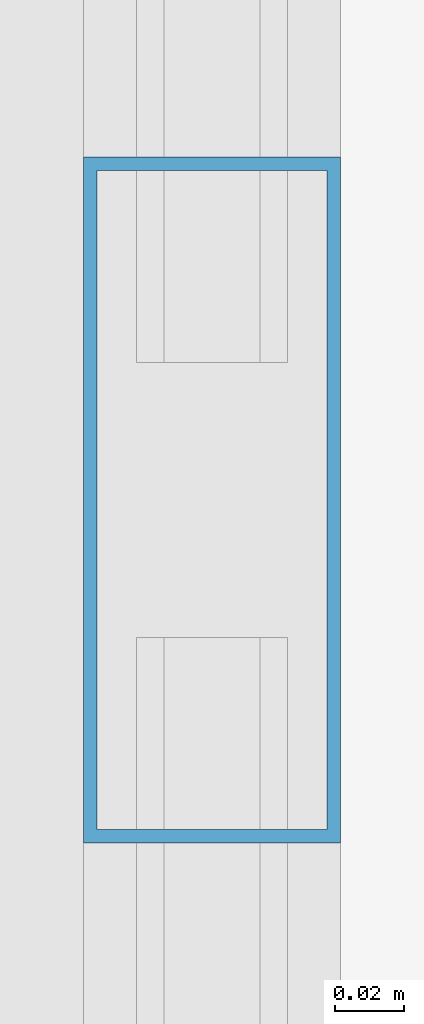
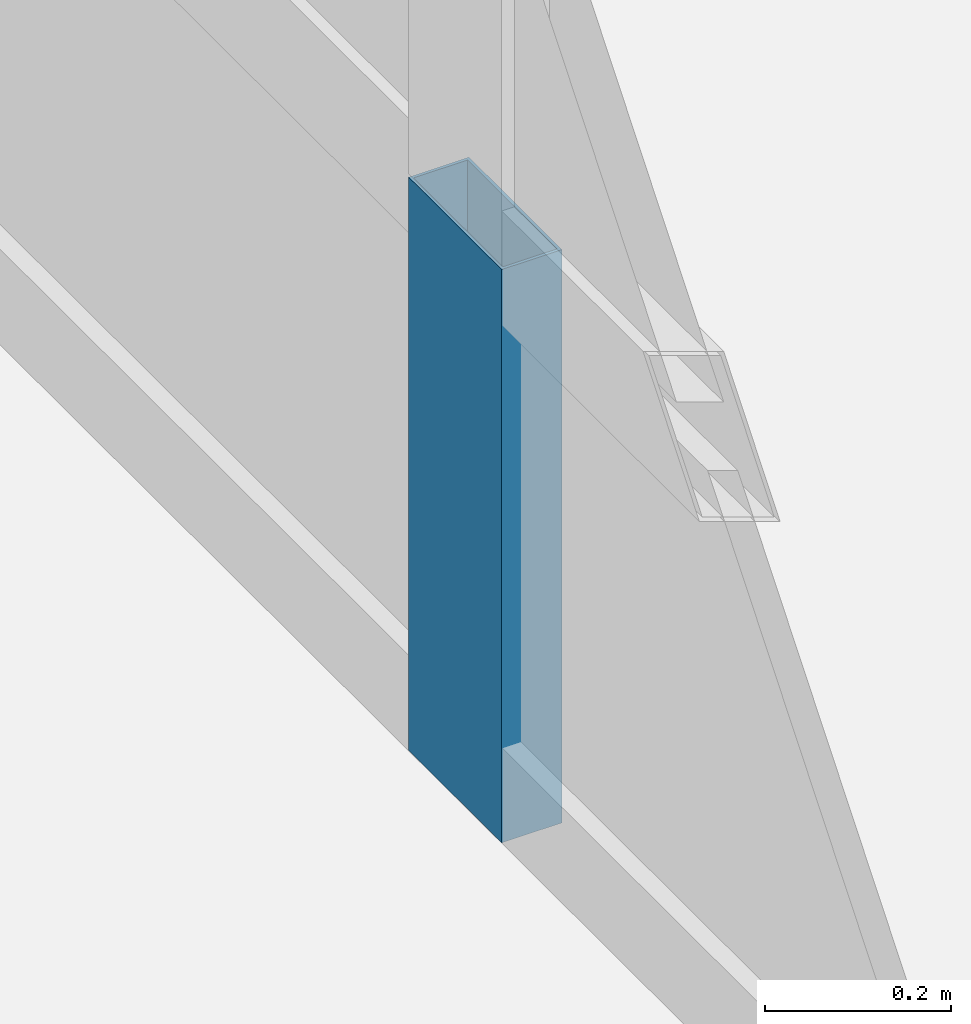
# One storey, part 21 of 35: 1 member, 1 element without a shape of its own.
"""IFC4 building model written with IfcOpenShell, lengths in metres."""

from ifc_helpers import new_model, si_unit, direction, frame, origin, origin_2d, place, context, subcontext, project, spatial, hollow_rectangle, extrude, source, transform, mapped, material, layer, layer_set, material_profile, profile_set, type_object, element, aggregate, save


model = new_model("IFC4")

# Units and contexts
model_context = context("Model", 3, precision=1e-05, world=origin(), true_north=direction((0.0, 1.0)))
body_context = subcontext(model_context, "Body", "Model", "MODEL_VIEW")
ifc_project = project(units=[si_unit("LENGTHUNIT", "METRE"), si_unit("AREAUNIT", "SQUARE_METRE"), si_unit("VOLUMEUNIT", "CUBIC_METRE"), si_unit("PLANEANGLEUNIT", "RADIAN"), si_unit("MASSUNIT", "GRAM", prefix="KILO"), si_unit("THERMODYNAMICTEMPERATUREUNIT", "KELVIN"), si_unit("POWERUNIT", "WATT")], contexts=[model_context])

# Site, building, storey
site_placement = place(None, origin())
site = spatial("IfcSite", under=ifc_project, at=site_placement, CompositionType="ELEMENT")
building_placement = place(site_placement, origin())
building = spatial("IfcBuilding", under=site, at=building_placement, Name="Yuzanri Waterfront Tower", CompositionType="ELEMENT")
storey_placement = place(building_placement, frame((0.0, 0.0, 314.699951171875)))
storey = spatial("IfcBuildingStorey", under=building, at=storey_placement, Name="L84", CompositionType="ELEMENT", Elevation=314.699951171875)

# Curtain wall, member
ifc_material_1 = material(Name="Anodized Architectural Bronze", Category="metal")
ifc_layer = layer(ifc_material_1, 0.159912109375)
ifc_layer_set = layer_set([ifc_layer], Name="Anodized Architectural Bronze")
curtain_wall_type = type_object("IfcCurtainWallType", Name="Anodized Bronze High-Rise Penthouse High-Wind Unitized Curtain Wall 6900", PredefinedType="NOTDEFINED", material=ifc_layer_set)
curtain_wall_placement = place(storey_placement, origin())
curtain_wall = element("IfcCurtainWall", 1, at=curtain_wall_placement, inside=storey, type_object=curtain_wall_type, Name="L84 Curtain Wall CW-L84-WL", PredefinedType="NOTDEFINED")
ifc_material_2 = material(Name="Anodized Architectural Bronze", Category="metal")
ifc_material_profile = material_profile(ifc_material_2, hollow_rectangle(XDim=0.074951171875, YDim=0.199951171875, WallThickness=0.00390625, at=origin_2d()), Name="CWM 75x200")
ifc_profile_set = profile_set([ifc_material_profile], Name="Anodized Architectural Bronze")
member_type = type_object("IfcMemberType", Name="Anodized Bronze Primary Curtain-Wall Mullion 75x200", PredefinedType="MULLION", material=ifc_profile_set)
shared_shape = source(origin(), body_context, "Body", "SweptSolid", [
    extrude(hollow_rectangle(XDim=0.074951171875, YDim=0.199951171875, WallThickness=0.00390625, at=origin_2d()), origin(), (0.0, 0.0, 1.0), 0.751953125),
])
member_placement = place(storey_placement, frame((18.050048828125, 19.75, 0.0), z_axis=(0.0, 0.0, 1.0), x_axis=(1.0, 0.0, 0.0)))
member = element("IfcMember", 2, at=member_placement, type_object=member_type, Name="CW-L84-WL Lower Mullion 01", PredefinedType="MULLION", context=body_context, shape_type="MappedRepresentation", body=[
    mapped(shared_shape, transform((0.0, 0.0, 0.0), scale=1.0)),
])
aggregate(curtain_wall, [member])

save(model, "model.ifc")
